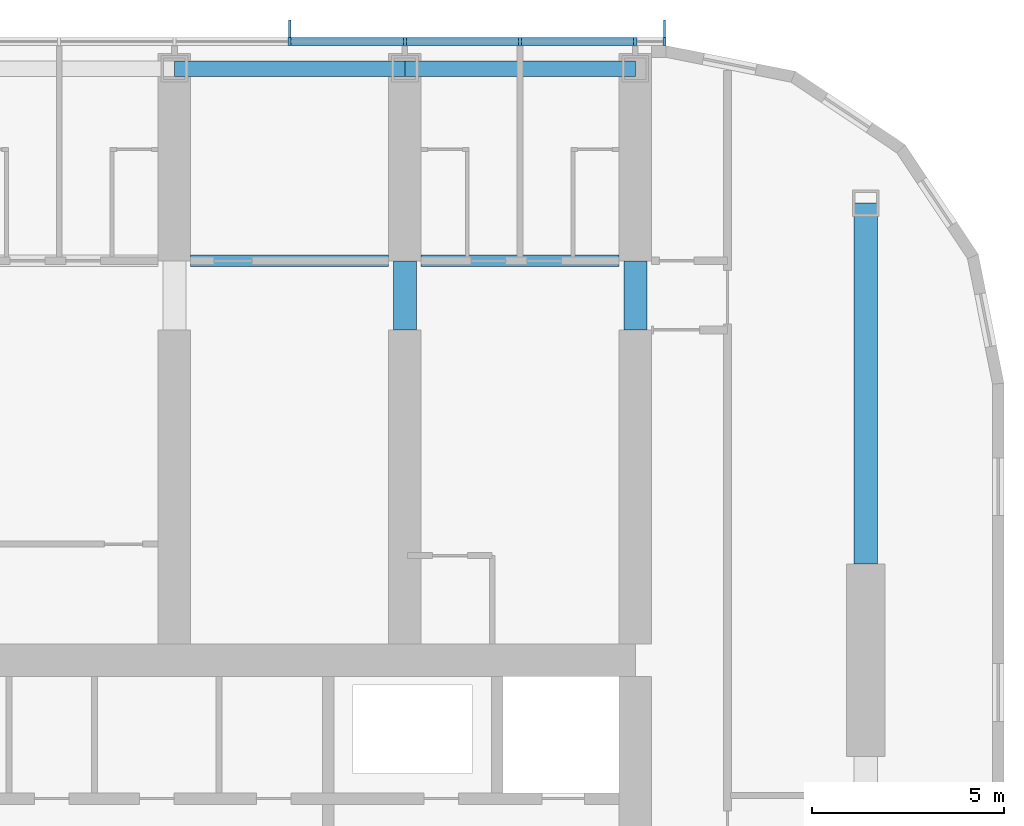
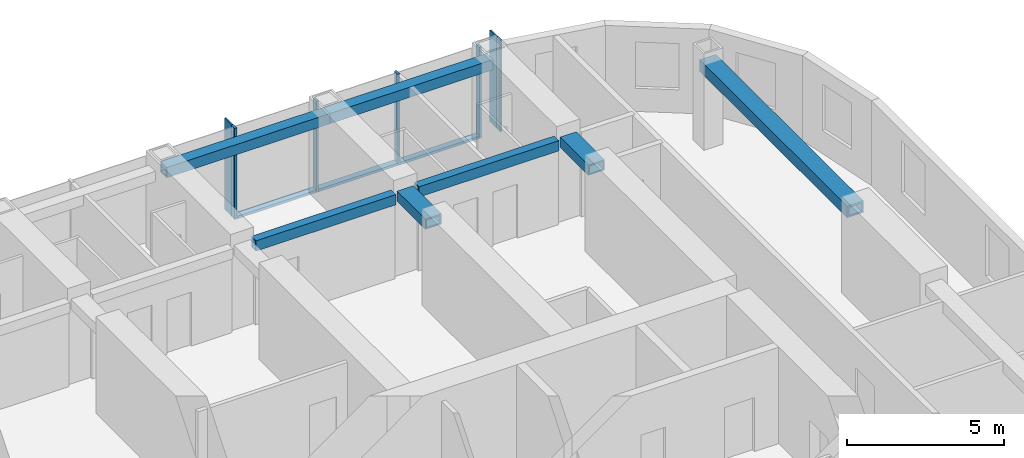
# One storey, part 5 of 23: 10 members, 7 beams, 1 element without a shape of its own.
"""IFC4 building model written with IfcOpenShell, lengths in metres."""

from ifc_helpers import new_model, si_unit, direction, frame, origin, origin_2d, place, context, subcontext, project, spatial, rectangle, hollow_rectangle, extrude, material, material_profile, profile_set, type_object, element, aggregate, save


model = new_model("IFC4")

# Units and contexts
model_context = context("Model", 3, precision=1e-05, world=origin(), true_north=direction((0.0, 1.0)))
body_context = subcontext(model_context, "Body", "Model", "MODEL_VIEW")
ifc_project = project(units=[si_unit("LENGTHUNIT", "METRE"), si_unit("AREAUNIT", "SQUARE_METRE"), si_unit("VOLUMEUNIT", "CUBIC_METRE"), si_unit("PLANEANGLEUNIT", "RADIAN"), si_unit("MASSUNIT", "GRAM", prefix="KILO")], contexts=[model_context])

# Site, building, storey
site_placement = place(None, origin())
site = spatial("IfcSite", under=ifc_project, at=site_placement, CompositionType="ELEMENT")
building_placement = place(site_placement, origin())
building = spatial("IfcBuilding", under=site, at=building_placement, Name="Orbita Commons", CompositionType="ELEMENT")
storey_placement = place(building_placement, frame((0.0, 0.0, 174.85009765625)))
storey = spatial("IfcBuildingStorey", under=building, at=storey_placement, Name="L43", CompositionType="ELEMENT", Elevation=174.85009765625)

# Curtain wall, members
ifc_material_1 = material(Name="Anodised aluminium frame, pale silver", Category="aluminium")
curtain_wall_type = type_object("IfcCurtainWallType", Name="Unitised curtain wall CW-U, full-height vision", PredefinedType="NOTDEFINED", material=ifc_material_1)
curtain_wall_placement = place(storey_placement, origin())
curtain_wall = element("IfcCurtainWall", 1, at=curtain_wall_placement, inside=storey, type_object=curtain_wall_type, Name="Curtain wall north L43", PredefinedType="NOTDEFINED")
ifc_material_2 = material(Name="Anodised aluminium, pale silver", Category="aluminium")
ifc_material_profile_1 = material_profile(ifc_material_2, rectangle(XDim=0.080078125, YDim=0.219970703125, at=origin_2d()), Name="AL 80x220")
ifc_profile_set_1 = profile_set([ifc_material_profile_1], Name="Anodised aluminium, pale silver")
member_type_1 = type_object("IfcMemberType", Name="Curtain wall mullion 80x220", PredefinedType="MULLION", material=ifc_profile_set_1)
member_1_placement = place(storey_placement, frame((66.760009765625, 54.31005859375, -0.25), z_axis=(0.0, 0.0, 1.0), x_axis=(-1.0, 0.0, 0.0)))
member_1 = element("IfcMember", 2, at=member_1_placement, type_object=member_type_1, Name="Mullion 1 CW-L43-N", PredefinedType="MULLION", context=body_context, shape_type="SweptSolid", body=[
    extrude(rectangle(XDim=0.080078125, YDim=0.219970703125, at=origin_2d()), origin(), (0.0, 0.0, 1.0), 3.5498046875),
])
member_2_placement = place(storey_placement, frame((66.0, 54.31005859375, -0.25), z_axis=(0.0, 0.0, 1.0), x_axis=(-1.0, 0.0, 0.0)))
member_2 = element("IfcMember", 3, at=member_2_placement, type_object=member_type_1, Name="Mullion 2 CW-L43-N", PredefinedType="MULLION", context=body_context, shape_type="SweptSolid", body=[
    extrude(rectangle(XDim=0.080078125, YDim=0.219970703125, at=origin_2d()), origin(), (0.0, 0.0, 1.0), 3.5498046875),
])
member_3_placement = place(storey_placement, frame((63.0, 54.31005859375, -0.25), z_axis=(0.0, 0.0, 1.0), x_axis=(-1.0, 0.0, 0.0)))
member_3 = element("IfcMember", 4, at=member_3_placement, type_object=member_type_1, Name="Mullion 3 CW-L43-N", PredefinedType="MULLION", context=body_context, shape_type="SweptSolid", body=[
    extrude(rectangle(XDim=0.080078125, YDim=0.219970703125, at=origin_2d()), origin(), (0.0, 0.0, 1.0), 3.5498046875),
])
member_4_placement = place(storey_placement, frame((60.0, 54.31005859375, -0.25), z_axis=(0.0, 0.0, 1.0), x_axis=(-1.0, 0.0, 0.0)))
member_4 = element("IfcMember", 5, at=member_4_placement, type_object=member_type_1, Name="Mullion 4 CW-L43-N", PredefinedType="MULLION", context=body_context, shape_type="SweptSolid", body=[
    extrude(rectangle(XDim=0.080078125, YDim=0.219970703125, at=origin_2d()), origin(), (0.0, 0.0, 1.0), 3.5498046875),
])
member_5_placement = place(storey_placement, frame((57.0, 54.31005859375, -0.25), z_axis=(0.0, 0.0, 1.0), x_axis=(-1.0, 0.0, 0.0)))
member_5 = element("IfcMember", 6, at=member_5_placement, type_object=member_type_1, Name="Mullion 5 CW-L43-N", PredefinedType="MULLION", context=body_context, shape_type="SweptSolid", body=[
    extrude(rectangle(XDim=0.080078125, YDim=0.219970703125, at=origin_2d()), origin(), (0.0, 0.0, 1.0), 3.5498046875),
])
ifc_material_3 = material(Name="Anodised aluminium, pale silver", Category="aluminium")
ifc_material_profile_2 = material_profile(ifc_material_3, rectangle(XDim=0.219970703125, YDim=0.10009765625, at=origin_2d()), Name="AL 220x100")
ifc_profile_set_2 = profile_set([ifc_material_profile_2], Name="Anodised aluminium, pale silver")
member_type_2 = type_object("IfcMemberType", Name="Curtain wall stack transom 220x100", PredefinedType="USERDEFINED", material=ifc_profile_set_2)
member_6_placement = place(storey_placement, frame((65.9599609375, 54.31005859375, -0.2001953125), z_axis=(-1.0, 0.0, 0.0), x_axis=(0.0, -1.0, 0.0)))
member_6 = element("IfcMember", 7, at=member_6_placement, type_object=member_type_2, Name="Transom 2.1 CW-L43-N", ObjectType="TRANSOM", PredefinedType="USERDEFINED", context=body_context, shape_type="SweptSolid", body=[
    extrude(rectangle(XDim=0.219970703125, YDim=0.10009765625, at=origin_2d()), origin(), (0.0, 0.0, 1.0), 2.919921875),
])
member_7_placement = place(storey_placement, frame((62.9599609375, 54.31005859375, -0.2001953125), z_axis=(-1.0, 0.0, 0.0), x_axis=(0.0, -1.0, 0.0)))
member_7 = element("IfcMember", 8, at=member_7_placement, type_object=member_type_2, Name="Transom 3.1 CW-L43-N", ObjectType="TRANSOM", PredefinedType="USERDEFINED", context=body_context, shape_type="SweptSolid", body=[
    extrude(rectangle(XDim=0.219970703125, YDim=0.10009765625, at=origin_2d()), origin(), (0.0, 0.0, 1.0), 2.919921875),
])
member_8_placement = place(storey_placement, frame((59.9599609375, 54.31005859375, -0.2001953125), z_axis=(-1.0, 0.0, 0.0), x_axis=(0.0, -1.0, 0.0)))
member_8 = element("IfcMember", 9, at=member_8_placement, type_object=member_type_2, Name="Transom 4.1 CW-L43-N", ObjectType="TRANSOM", PredefinedType="USERDEFINED", context=body_context, shape_type="SweptSolid", body=[
    extrude(rectangle(XDim=0.219970703125, YDim=0.10009765625, at=origin_2d()), origin(), (0.0, 0.0, 1.0), 2.919921875),
])

# Beams
ifc_material_4 = material(Name="Steel ASTM A572 Gr 50 welded plate", Category="steel")
ifc_material_profile_3 = material_profile(ifc_material_4, hollow_rectangle(XDim=0.300048828125, YDim=0.39990234375, WallThickness=0.0400390625, at=origin_2d()), Name="BOX 400x300x40")
ifc_profile_set_3 = profile_set([ifc_material_profile_3], Name="Steel ASTM A572 Gr 50 welded plate")
beam_type_1 = type_object("IfcBeamType", Name="Steel corridor link BOX 400x300x40", PredefinedType="BEAM", material=ifc_profile_set_3)
for number, where, z_axis, x_axis, name in (
    (10, (54.425048828125, 48.60009765625, 3.099853515625), (1.0, 0.0, 0.0), (0.0, 1.0, 0.0), "Corridor beam NB 10-11 L43"),
    (11, (60.425048828125, 48.60009765625, 3.099853515625), (1.0, 0.0, 0.0), (0.0, 1.0, 0.0), "Corridor beam NB 11-12 L43"),
):
    element("IfcBeam", number, at=place(storey_placement, frame(where, z_axis=z_axis, x_axis=x_axis)), inside=storey, type_object=beam_type_1, Name=name, PredefinedType="BEAM", context=body_context, shape_type="SweptSolid", body=[
        extrude(hollow_rectangle(XDim=0.300048828125, YDim=0.39990234375, WallThickness=0.0400390625, at=origin_2d()), origin(), (0.0, 0.0, 1.0), 5.14990234375),
    ])
ifc_material_5 = material(Name="Steel ASTM A572 Gr 50 welded plate", Category="steel")
ifc_material_profile_4 = material_profile(ifc_material_5, hollow_rectangle(XDim=0.60009765625, YDim=0.39990234375, WallThickness=0.050048828125, at=origin_2d()), Name="BOX 400x600x50")
ifc_profile_set_4 = profile_set([ifc_material_profile_4], Name="Steel ASTM A572 Gr 50 welded plate")
beam_type_2 = type_object("IfcBeamType", Name="Steel coupling link BOX 400x600x50", PredefinedType="LINTEL", material=ifc_profile_set_4)
for number, where, z_axis, x_axis, name in (
    (12, (60.0, 46.800048828125, 3.099853515625), (0.0, 1.0, 0.0), (-1.0, 0.0, 0.0), "Coupling beam 11 north L43"),
    (13, (66.0, 46.800048828125, 3.099853515625), (0.0, 1.0, 0.0), (-1.0, 0.0, 0.0), "Coupling beam 12 north L43"),
):
    element("IfcBeam", number, at=place(storey_placement, frame(where, z_axis=z_axis, x_axis=x_axis)), inside=storey, type_object=beam_type_2, Name=name, PredefinedType="LINTEL", context=body_context, shape_type="SweptSolid", body=[
        extrude(hollow_rectangle(XDim=0.60009765625, YDim=0.39990234375, WallThickness=0.050048828125, at=origin_2d()), origin(), (0.0, 0.0, 1.0), 1.800048828125),
    ])
ifc_material_6 = material(Name="Steel ASTM A572 Gr 50 welded plate", Category="steel")
ifc_material_profile_5 = material_profile(ifc_material_6, hollow_rectangle(XDim=0.60009765625, YDim=0.449951171875, WallThickness=0.06005859375, at=origin_2d()), Name="BOX 450x600x60")
ifc_profile_set_5 = profile_set([ifc_material_profile_5], Name="Steel ASTM A572 Gr 50 welded plate")
beam_type_3 = type_object("IfcBeamType", Name="Steel end frame link BOX 450x600x60", PredefinedType="BEAM", material=ifc_profile_set_5)
beam_placement = place(storey_placement, frame((72.0, 40.699951171875, 3.074951171875), z_axis=(0.0, 1.0, 0.0), x_axis=(-1.0, 0.0, 0.0)))
element("IfcBeam", 14, at=beam_placement, inside=storey, type_object=beam_type_3, Name="End frame beam 13 D-E L43", PredefinedType="BEAM", context=body_context, shape_type="SweptSolid", body=[
    extrude(hollow_rectangle(XDim=0.60009765625, YDim=0.449951171875, WallThickness=0.06005859375, at=origin_2d()), origin(), (0.0, 0.0, 1.0), 9.400146484375),
])
ifc_material_7 = material(Name="Steel ASTM A572 Gr 50 welded plate", Category="steel")
ifc_material_profile_6 = material_profile(ifc_material_7, hollow_rectangle(XDim=0.39990234375, YDim=0.39990234375, WallThickness=0.0400390625, at=origin_2d()), Name="BOX 400x400x40")
ifc_profile_set_6 = profile_set([ifc_material_profile_6], Name="Steel ASTM A572 Gr 50 welded plate")
beam_type_4 = type_object("IfcBeamType", Name="Steel spandrel BOX 400x400x40", PredefinedType="SPANDREL", material=ifc_profile_set_6)
for number, where, z_axis, x_axis, name in (
    (15, (54.0, 53.60009765625, 3.099853515625), (1.0, 0.0, 0.0), (0.0, 1.0, 0.0), "Spandrel beam E 10-11 L43"),
    (16, (60.0, 53.60009765625, 3.099853515625), (1.0, 0.0, 0.0), (0.0, 1.0, 0.0), "Spandrel beam E 11-12 L43"),
):
    element("IfcBeam", number, at=place(storey_placement, frame(where, z_axis=z_axis, x_axis=x_axis)), inside=storey, type_object=beam_type_4, Name=name, PredefinedType="SPANDREL", context=body_context, shape_type="SweptSolid", body=[
        extrude(hollow_rectangle(XDim=0.39990234375, YDim=0.39990234375, WallThickness=0.0400390625, at=origin_2d()), origin(), (0.0, 0.0, 1.0), 6.0),
    ])

# Member
ifc_material_8 = material(Name="Anodised aluminium, pale silver", Category="aluminium")
ifc_material_profile_7 = material_profile(ifc_material_8, rectangle(XDim=0.06005859375, YDim=0.449951171875, at=origin_2d()), Name="FIN 60x450")
ifc_profile_set_7 = profile_set([ifc_material_profile_7], Name="Anodised aluminium, pale silver")
member_type_3 = type_object("IfcMemberType", Name="Vertical fin 60x450 pale aluminium", PredefinedType="USERDEFINED", material=ifc_profile_set_7)
member_9_placement = place(storey_placement, frame((66.760009765625, 54.64501953125, -0.25), z_axis=(0.0, 0.0, 1.0), x_axis=(-1.0, 0.0, 0.0)))
member_9 = element("IfcMember", 17, at=member_9_placement, type_object=member_type_3, Name="Fin 1 CW-L43-N", ObjectType="FIN", PredefinedType="USERDEFINED", context=body_context, shape_type="SweptSolid", body=[
    extrude(rectangle(XDim=0.06005859375, YDim=0.449951171875, at=origin_2d()), origin(), (0.0, 0.0, 1.0), 3.5498046875),
])

member_10_placement = place(storey_placement, frame((57.0, 54.64501953125, -0.25), z_axis=(0.0, 0.0, 1.0), x_axis=(-1.0, 0.0, 0.0)))
member_10 = element("IfcMember", 18, at=member_10_placement, type_object=member_type_3, Name="Fin 5 CW-L43-N", ObjectType="FIN", PredefinedType="USERDEFINED", context=body_context, shape_type="SweptSolid", body=[
    extrude(rectangle(XDim=0.06005859375, YDim=0.449951171875, at=origin_2d()), origin(), (0.0, 0.0, 1.0), 3.5498046875),
])

aggregate(curtain_wall, [member_1, member_9, member_2, member_3, member_4, member_5, member_10, member_6, member_7, member_8])

save(model, "model.ifc")
